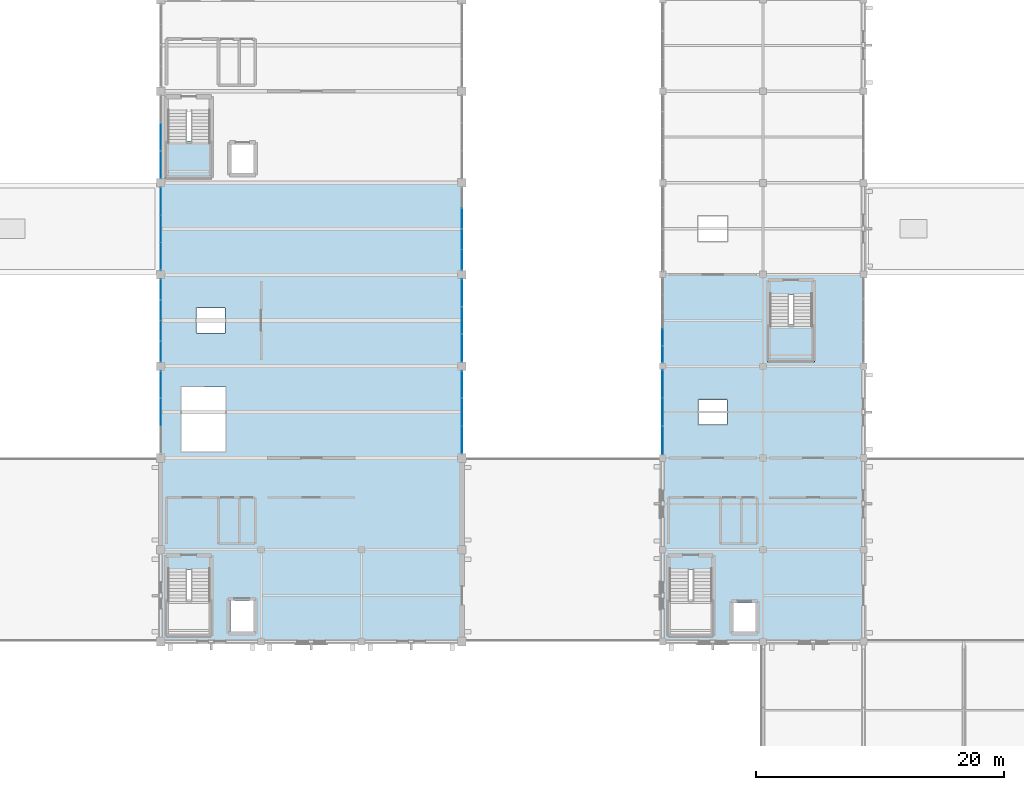
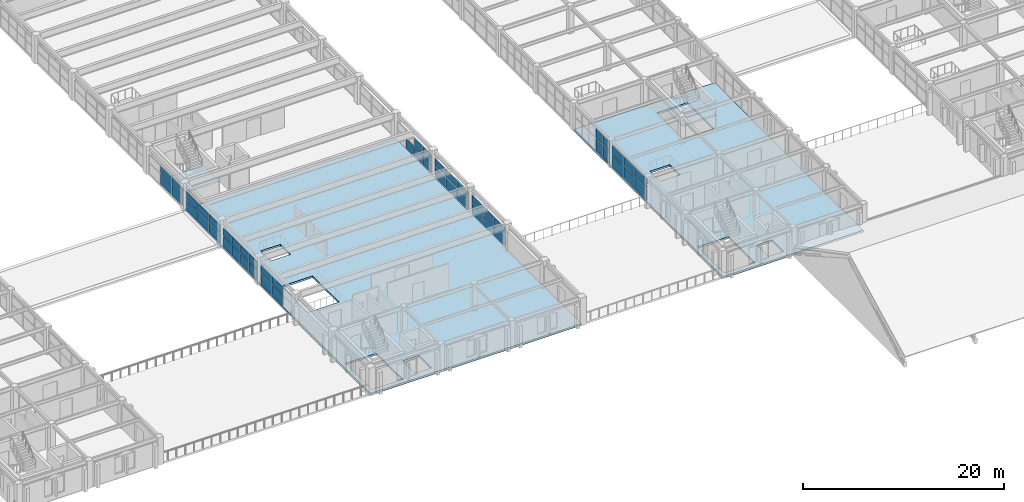
# One storey, part 94 of 121: 49 plates, 4 slabs, 11 elements without a shape of their own.
"""IFC4 building model written with IfcOpenShell, lengths in metres."""

from ifc_helpers import new_model, si_unit, direction, frame, origin, origin_2d, place, context, subcontext, project, spatial, polyline, rectangle, outline, extrude, material, layer, layer_set, type_object, element, aggregate, save


model = new_model("IFC4")

# Units and contexts
model_context = context("Model", 3, precision=1e-05, world=origin(), true_north=direction((0.0, 1.0)))
body_context = subcontext(model_context, "Body", "Model", "MODEL_VIEW")
ifc_project = project(units=[si_unit("LENGTHUNIT", "METRE"), si_unit("AREAUNIT", "SQUARE_METRE"), si_unit("VOLUMEUNIT", "CUBIC_METRE"), si_unit("PLANEANGLEUNIT", "RADIAN"), si_unit("MASSUNIT", "GRAM", prefix="KILO")], contexts=[model_context])

# Site, building, storey
site_placement = place(None, origin())
site = spatial("IfcSite", under=ifc_project, at=site_placement, CompositionType="ELEMENT")
building_placement = place(site_placement, origin())
building = spatial("IfcBuilding", under=site, at=building_placement, Name="Cimatlan Art Gallery", CompositionType="ELEMENT")
storey_placement = place(building_placement, frame((0.0, 0.0, 10.199951171875)))
storey = spatial("IfcBuildingStorey", under=building, at=storey_placement, Name="L02", CompositionType="ELEMENT", Elevation=10.199951171875)

# Curtain wall, plates
ifc_material_1 = material(Name="Anodised bronze unitised curtain wall")
curtain_wall_type_1 = type_object("IfcCurtainWallType", Name="CW-V-06842X02898-B5", PredefinedType="NOTDEFINED", material=ifc_material_1)
curtain_wall_1_placement = place(storey_placement, origin())
curtain_wall_1 = element("IfcCurtainWall", 1, at=curtain_wall_1_placement, inside=storey, type_object=curtain_wall_type_1, Name="CW-L02-14-06-W", PredefinedType="NOTDEFINED")
ifc_material_2 = material(Name="Low-E insulated double glazing", Category="glass")
ifc_layer_1 = layer(ifc_material_2, 0.028076171875)
ifc_layer_set_1 = layer_set([ifc_layer_1], Name="Low-E insulated double glazing")
plate_type_1 = type_object("IfcPlateType", Name="PNL-1310X1091", PredefinedType="CURTAIN_PANEL", material=ifc_layer_set_1)
plate_1_placement = place(storey_placement, frame((115.39990234375, 47.063232421875, 1.68505859375), z_axis=(0.0, 0.0, 1.0), x_axis=(0.0, 1.0, 0.0)))
plate_1 = element("IfcPlate", 2, at=plate_1_placement, type_object=plate_type_1, Name="CW-L02-14-06-W-P12", PredefinedType="CURTAIN_PANEL", context=body_context, shape_type="SweptSolid", body=[
    extrude(rectangle(XDim=1.31005859375, YDim=0.028076171875, at=origin_2d()), origin(), (0.0, 0.0, 1.0), 1.091064453125),
])
plate_2_placement = place(storey_placement, frame((115.39990234375, 48.431640625, 1.68505859375), z_axis=(0.0, 0.0, 1.0), x_axis=(0.0, 1.0, 0.0)))
plate_2 = element("IfcPlate", 3, at=plate_2_placement, type_object=plate_type_1, Name="CW-L02-14-06-W-P22", PredefinedType="CURTAIN_PANEL", context=body_context, shape_type="SweptSolid", body=[
    extrude(rectangle(XDim=1.31005859375, YDim=0.028076171875, at=origin_2d()), origin(), (0.0, 0.0, 1.0), 1.091064453125),
])
ifc_layer_2 = layer(ifc_material_2, 0.028076171875)
ifc_layer_set_2 = layer_set([ifc_layer_2], Name="Low-E insulated double glazing")
plate_type_2 = type_object("IfcPlateType", Name="PNL-1310X1439", PredefinedType="CURTAIN_PANEL", material=ifc_layer_set_2)
plate_3_placement = place(storey_placement, frame((115.39990234375, 47.063232421875, 0.1220703125), z_axis=(0.0, 0.0, 1.0), x_axis=(0.0, 1.0, 0.0)))
plate_3 = element("IfcPlate", 4, at=plate_3_placement, type_object=plate_type_2, Name="CW-L02-14-06-W-P11", PredefinedType="CURTAIN_PANEL", context=body_context, shape_type="SweptSolid", body=[
    extrude(rectangle(XDim=1.31005859375, YDim=0.028076171875, at=origin_2d()), origin(), (0.0, 0.0, 1.0), 1.43896484375),
])
plate_4_placement = place(storey_placement, frame((115.39990234375, 48.431640625, 0.1220703125), z_axis=(0.0, 0.0, 1.0), x_axis=(0.0, 1.0, 0.0)))
plate_4 = element("IfcPlate", 5, at=plate_4_placement, type_object=plate_type_2, Name="CW-L02-14-06-W-P21", PredefinedType="CURTAIN_PANEL", context=body_context, shape_type="SweptSolid", body=[
    extrude(rectangle(XDim=1.31005859375, YDim=0.028076171875, at=origin_2d()), origin(), (0.0, 0.0, 1.0), 1.43896484375),
])
aggregate(curtain_wall_1, [plate_3, plate_1, plate_4, plate_2])

curtain_wall_type_2 = type_object("IfcCurtainWallType", Name="CW-V-06692X02449-B4", PredefinedType="NOTDEFINED", material=ifc_material_1)
curtain_wall_2_placement = place(storey_placement, origin())
curtain_wall_2 = element("IfcCurtainWall", 6, at=curtain_wall_2_placement, inside=storey, type_object=curtain_wall_type_2, Name="CW-L02-11-07-E", PredefinedType="NOTDEFINED")
ifc_layer_3 = layer(ifc_material_2, 0.028076171875)
ifc_layer_set_3 = layer_set([ifc_layer_3], Name="Low-E insulated double glazing")
plate_type_3 = type_object("IfcPlateType", Name="PNL-1615X0894", PredefinedType="CURTAIN_PANEL", material=ifc_layer_set_3)
plate_5_placement = place(storey_placement, frame((99.199951171875, 56.363525390625, 1.43310546875), z_axis=(0.0, 0.0, 1.0), x_axis=(0.0, -1.0, 0.0)))
plate_5 = element("IfcPlate", 7, at=plate_5_placement, type_object=plate_type_3, Name="CW-L02-11-07-E-P32", PredefinedType="CURTAIN_PANEL", context=body_context, shape_type="SweptSolid", body=[
    extrude(rectangle(XDim=1.614990234375, YDim=0.028076171875, at=origin_2d()), origin(), (0.0, 0.0, 1.0), 0.89404296875),
])
plate_6_placement = place(storey_placement, frame((99.199951171875, 54.6904296875, 1.43310546875), z_axis=(0.0, 0.0, 1.0), x_axis=(0.0, -1.0, 0.0)))
plate_6 = element("IfcPlate", 8, at=plate_6_placement, type_object=plate_type_3, Name="CW-L02-11-07-E-P42", PredefinedType="CURTAIN_PANEL", context=body_context, shape_type="SweptSolid", body=[
    extrude(rectangle(XDim=1.614990234375, YDim=0.028076171875, at=origin_2d()), origin(), (0.0, 0.0, 1.0), 0.89404296875),
])

curtain_wall_type_3 = type_object("IfcCurtainWallType", Name="CW-V-06692X02464-B4", PredefinedType="NOTDEFINED", material=ifc_material_1)
curtain_wall_3_placement = place(storey_placement, origin())
curtain_wall_3 = element("IfcCurtainWall", 9, at=curtain_wall_3_placement, inside=storey, type_object=curtain_wall_type_3, Name="CW-L02-09-06-W", PredefinedType="NOTDEFINED")
ifc_layer_4 = layer(ifc_material_2, 0.028076171875)
ifc_layer_set_4 = layer_set([ifc_layer_4], Name="Low-E insulated double glazing")
plate_type_4 = type_object("IfcPlateType", Name="PNL-1615X0900", PredefinedType="CURTAIN_PANEL", material=ifc_layer_set_4)
plate_7_placement = place(storey_placement, frame((74.89990234375, 47.29052734375, 1.44189453125), z_axis=(0.0, 0.0, 1.0), x_axis=(0.0, 1.0, 0.0)))
plate_7 = element("IfcPlate", 10, at=plate_7_placement, type_object=plate_type_4, Name="CW-L02-09-06-W-P12", PredefinedType="CURTAIN_PANEL", context=body_context, shape_type="SweptSolid", body=[
    extrude(rectangle(XDim=1.614990234375, YDim=0.028076171875, at=origin_2d()), origin(), (0.0, 0.0, 1.0), 0.89990234375),
])
plate_8_placement = place(storey_placement, frame((74.89990234375, 48.96337890625, 1.44189453125), z_axis=(0.0, 0.0, 1.0), x_axis=(0.0, 1.0, 0.0)))
plate_8 = element("IfcPlate", 11, at=plate_8_placement, type_object=plate_type_4, Name="CW-L02-09-06-W-P22", PredefinedType="CURTAIN_PANEL", context=body_context, shape_type="SweptSolid", body=[
    extrude(rectangle(XDim=1.614990234375, YDim=0.028076171875, at=origin_2d()), origin(), (0.0, 0.0, 1.0), 0.89990234375),
])
plate_9_placement = place(storey_placement, frame((74.89990234375, 50.636474609375, 1.44189453125), z_axis=(0.0, 0.0, 1.0), x_axis=(0.0, 1.0, 0.0)))
plate_9 = element("IfcPlate", 12, at=plate_9_placement, type_object=plate_type_4, Name="CW-L02-09-06-W-P32", PredefinedType="CURTAIN_PANEL", context=body_context, shape_type="SweptSolid", body=[
    extrude(rectangle(XDim=1.614990234375, YDim=0.028076171875, at=origin_2d()), origin(), (0.0, 0.0, 1.0), 0.89990234375),
])
plate_10_placement = place(storey_placement, frame((74.89990234375, 52.3095703125, 1.44189453125), z_axis=(0.0, 0.0, 1.0), x_axis=(0.0, 1.0, 0.0)))
plate_10 = element("IfcPlate", 13, at=plate_10_placement, type_object=plate_type_4, Name="CW-L02-09-06-W-P42", PredefinedType="CURTAIN_PANEL", context=body_context, shape_type="SweptSolid", body=[
    extrude(rectangle(XDim=1.614990234375, YDim=0.028076171875, at=origin_2d()), origin(), (0.0, 0.0, 1.0), 0.89990234375),
])

# Plate
ifc_layer_5 = layer(ifc_material_2, 0.028076171875)
ifc_layer_set_5 = layer_set([ifc_layer_5], Name="Low-E insulated double glazing")
plate_type_5 = type_object("IfcPlateType", Name="PNL-1615X1187", PredefinedType="CURTAIN_PANEL", material=ifc_layer_set_5)
plate_11_placement = place(storey_placement, frame((99.199951171875, 58.03662109375, 0.122314453125), z_axis=(0.0, 0.0, 1.0), x_axis=(0.0, -1.0, 0.0)))
plate_11 = element("IfcPlate", 14, at=plate_11_placement, type_object=plate_type_5, Name="CW-L02-11-07-E-P21", PredefinedType="CURTAIN_PANEL", context=body_context, shape_type="SweptSolid", body=[
    extrude(rectangle(XDim=1.614990234375, YDim=0.028076171875, at=origin_2d()), origin(), (0.0, 0.0, 1.0), 1.18701171875),
])

plate_12_placement = place(storey_placement, frame((99.199951171875, 56.363525390625, 0.122314453125), z_axis=(0.0, 0.0, 1.0), x_axis=(0.0, -1.0, 0.0)))
plate_12 = element("IfcPlate", 15, at=plate_12_placement, type_object=plate_type_5, Name="CW-L02-11-07-E-P31", PredefinedType="CURTAIN_PANEL", context=body_context, shape_type="SweptSolid", body=[
    extrude(rectangle(XDim=1.614990234375, YDim=0.028076171875, at=origin_2d()), origin(), (0.0, 0.0, 1.0), 1.18701171875),
])

plate_13_placement = place(storey_placement, frame((99.199951171875, 54.6904296875, 0.122314453125), z_axis=(0.0, 0.0, 1.0), x_axis=(0.0, -1.0, 0.0)))
plate_13 = element("IfcPlate", 16, at=plate_13_placement, type_object=plate_type_5, Name="CW-L02-11-07-E-P41", PredefinedType="CURTAIN_PANEL", context=body_context, shape_type="SweptSolid", body=[
    extrude(rectangle(XDim=1.614990234375, YDim=0.028076171875, at=origin_2d()), origin(), (0.0, 0.0, 1.0), 1.18701171875),
])

aggregate(curtain_wall_2, [plate_11, plate_12, plate_5, plate_13, plate_6])

ifc_layer_6 = layer(ifc_material_2, 0.028076171875)
ifc_layer_set_6 = layer_set([ifc_layer_6], Name="Low-E insulated double glazing")
plate_type_6 = type_object("IfcPlateType", Name="PNL-1615X1196", PredefinedType="CURTAIN_PANEL", material=ifc_layer_set_6)
plate_14_placement = place(storey_placement, frame((74.89990234375, 47.29052734375, 0.1220703125), z_axis=(0.0, 0.0, 1.0), x_axis=(0.0, 1.0, 0.0)))
plate_14 = element("IfcPlate", 17, at=plate_14_placement, type_object=plate_type_6, Name="CW-L02-09-06-W-P11", PredefinedType="CURTAIN_PANEL", context=body_context, shape_type="SweptSolid", body=[
    extrude(rectangle(XDim=1.614990234375, YDim=0.028076171875, at=origin_2d()), origin(), (0.0, 0.0, 1.0), 1.196044921875),
])

plate_15_placement = place(storey_placement, frame((74.89990234375, 48.96337890625, 0.1220703125), z_axis=(0.0, 0.0, 1.0), x_axis=(0.0, 1.0, 0.0)))
plate_15 = element("IfcPlate", 18, at=plate_15_placement, type_object=plate_type_6, Name="CW-L02-09-06-W-P21", PredefinedType="CURTAIN_PANEL", context=body_context, shape_type="SweptSolid", body=[
    extrude(rectangle(XDim=1.614990234375, YDim=0.028076171875, at=origin_2d()), origin(), (0.0, 0.0, 1.0), 1.196044921875),
])

plate_16_placement = place(storey_placement, frame((74.89990234375, 50.636474609375, 0.1220703125), z_axis=(0.0, 0.0, 1.0), x_axis=(0.0, 1.0, 0.0)))
plate_16 = element("IfcPlate", 19, at=plate_16_placement, type_object=plate_type_6, Name="CW-L02-09-06-W-P31", PredefinedType="CURTAIN_PANEL", context=body_context, shape_type="SweptSolid", body=[
    extrude(rectangle(XDim=1.614990234375, YDim=0.028076171875, at=origin_2d()), origin(), (0.0, 0.0, 1.0), 1.196044921875),
])

plate_17_placement = place(storey_placement, frame((74.89990234375, 52.3095703125, 0.1220703125), z_axis=(0.0, 0.0, 1.0), x_axis=(0.0, 1.0, 0.0)))
plate_17 = element("IfcPlate", 20, at=plate_17_placement, type_object=plate_type_6, Name="CW-L02-09-06-W-P41", PredefinedType="CURTAIN_PANEL", context=body_context, shape_type="SweptSolid", body=[
    extrude(rectangle(XDim=1.614990234375, YDim=0.028076171875, at=origin_2d()), origin(), (0.0, 0.0, 1.0), 1.196044921875),
])

aggregate(curtain_wall_3, [plate_14, plate_7, plate_15, plate_8, plate_16, plate_9, plate_17, plate_10])

# Curtain wall, plates
curtain_wall_type_4 = type_object("IfcCurtainWallType", Name="CW-V-06692X02434-B3", PredefinedType="NOTDEFINED", material=ifc_material_1)
curtain_wall_4_placement = place(storey_placement, origin())
curtain_wall_4 = element("IfcCurtainWall", 21, at=curtain_wall_4_placement, inside=storey, type_object=curtain_wall_type_4, Name="CW-L02-09-08-W", PredefinedType="NOTDEFINED")
ifc_layer_7 = layer(ifc_material_2, 0.028076171875)
ifc_layer_set_7 = layer_set([ifc_layer_7], Name="Low-E insulated double glazing")
plate_type_7 = type_object("IfcPlateType", Name="PNL-2173X0887", PredefinedType="CURTAIN_PANEL", material=ifc_layer_set_7)
plate_18_placement = place(storey_placement, frame((74.89990234375, 62.369384765625, 1.42529296875), z_axis=(0.0, 0.0, 1.0), x_axis=(0.0, 1.0, 0.0)))
plate_18 = element("IfcPlate", 22, at=plate_18_placement, type_object=plate_type_7, Name="CW-L02-09-08-W-P12", PredefinedType="CURTAIN_PANEL", context=body_context, shape_type="SweptSolid", body=[
    extrude(rectangle(XDim=2.173095703125, YDim=0.028076171875, at=origin_2d()), origin(), (0.0, 0.0, 1.0), 0.886962890625),
])
plate_19_placement = place(storey_placement, frame((74.89990234375, 64.60009765625, 1.42529296875), z_axis=(0.0, 0.0, 1.0), x_axis=(0.0, 1.0, 0.0)))
plate_19 = element("IfcPlate", 23, at=plate_19_placement, type_object=plate_type_7, Name="CW-L02-09-08-W-P22", PredefinedType="CURTAIN_PANEL", context=body_context, shape_type="SweptSolid", body=[
    extrude(rectangle(XDim=2.173095703125, YDim=0.028076171875, at=origin_2d()), origin(), (0.0, 0.0, 1.0), 0.886962890625),
])

curtain_wall_type_5 = type_object("IfcCurtainWallType", Name="CW-V-06692X02449-B3", PredefinedType="NOTDEFINED", material=ifc_material_1)
curtain_wall_5_placement = place(storey_placement, origin())
curtain_wall_5 = element("IfcCurtainWall", 24, at=curtain_wall_5_placement, inside=storey, type_object=curtain_wall_type_5, Name="CW-L02-09-07-W", PredefinedType="NOTDEFINED")
ifc_layer_8 = layer(ifc_material_2, 0.028076171875)
ifc_layer_set_8 = layer_set([ifc_layer_8], Name="Low-E insulated double glazing")
plate_type_8 = type_object("IfcPlateType", Name="PNL-2173X0894", PredefinedType="CURTAIN_PANEL", material=ifc_layer_set_8)
plate_20_placement = place(storey_placement, frame((74.89990234375, 54.96923828125, 1.43310546875), z_axis=(0.0, 0.0, 1.0), x_axis=(0.0, 1.0, 0.0)))
plate_20 = element("IfcPlate", 25, at=plate_20_placement, type_object=plate_type_8, Name="CW-L02-09-07-W-P12", PredefinedType="CURTAIN_PANEL", context=body_context, shape_type="SweptSolid", body=[
    extrude(rectangle(XDim=2.173095703125, YDim=0.028076171875, at=origin_2d()), origin(), (0.0, 0.0, 1.0), 0.89404296875),
])
plate_21_placement = place(storey_placement, frame((74.89990234375, 57.199951171875, 1.43310546875), z_axis=(0.0, 0.0, 1.0), x_axis=(0.0, 1.0, 0.0)))
plate_21 = element("IfcPlate", 26, at=plate_21_placement, type_object=plate_type_8, Name="CW-L02-09-07-W-P22", PredefinedType="CURTAIN_PANEL", context=body_context, shape_type="SweptSolid", body=[
    extrude(rectangle(XDim=2.173095703125, YDim=0.028076171875, at=origin_2d()), origin(), (0.0, 0.0, 1.0), 0.89404296875),
])
plate_22_placement = place(storey_placement, frame((74.89990234375, 59.4306640625, 1.43310546875), z_axis=(0.0, 0.0, 1.0), x_axis=(0.0, 1.0, 0.0)))
plate_22 = element("IfcPlate", 27, at=plate_22_placement, type_object=plate_type_8, Name="CW-L02-09-07-W-P32", PredefinedType="CURTAIN_PANEL", context=body_context, shape_type="SweptSolid", body=[
    extrude(rectangle(XDim=2.173095703125, YDim=0.028076171875, at=origin_2d()), origin(), (0.0, 0.0, 1.0), 0.89404296875),
])

curtain_wall_type_6 = type_object("IfcCurtainWallType", Name="CW-V-06692X02464-B3", PredefinedType="NOTDEFINED", material=ifc_material_1)
curtain_wall_6_placement = place(storey_placement, origin())
curtain_wall_6 = element("IfcCurtainWall", 28, at=curtain_wall_6_placement, inside=storey, type_object=curtain_wall_type_6, Name="CW-L02-11-06-E", PredefinedType="NOTDEFINED")
ifc_layer_9 = layer(ifc_material_2, 0.028076171875)
ifc_layer_set_9 = layer_set([ifc_layer_9], Name="Low-E insulated double glazing")
plate_type_9 = type_object("IfcPlateType", Name="PNL-2173X0900", PredefinedType="CURTAIN_PANEL", material=ifc_layer_set_9)
plate_23_placement = place(storey_placement, frame((99.199951171875, 52.03076171875, 1.44189453125), z_axis=(0.0, 0.0, 1.0), x_axis=(0.0, -1.0, 0.0)))
plate_23 = element("IfcPlate", 29, at=plate_23_placement, type_object=plate_type_9, Name="CW-L02-11-06-E-P12", PredefinedType="CURTAIN_PANEL", context=body_context, shape_type="SweptSolid", body=[
    extrude(rectangle(XDim=2.173095703125, YDim=0.028076171875, at=origin_2d()), origin(), (0.0, 0.0, 1.0), 0.89990234375),
])
plate_24_placement = place(storey_placement, frame((99.199951171875, 49.800048828125, 1.44189453125), z_axis=(0.0, 0.0, 1.0), x_axis=(0.0, -1.0, 0.0)))
plate_24 = element("IfcPlate", 30, at=plate_24_placement, type_object=plate_type_9, Name="CW-L02-11-06-E-P22", PredefinedType="CURTAIN_PANEL", context=body_context, shape_type="SweptSolid", body=[
    extrude(rectangle(XDim=2.173095703125, YDim=0.028076171875, at=origin_2d()), origin(), (0.0, 0.0, 1.0), 0.89990234375),
])
plate_25_placement = place(storey_placement, frame((99.199951171875, 47.5693359375, 1.44189453125), z_axis=(0.0, 0.0, 1.0), x_axis=(0.0, -1.0, 0.0)))
plate_25 = element("IfcPlate", 31, at=plate_25_placement, type_object=plate_type_9, Name="CW-L02-11-06-E-P32", PredefinedType="CURTAIN_PANEL", context=body_context, shape_type="SweptSolid", body=[
    extrude(rectangle(XDim=2.173095703125, YDim=0.028076171875, at=origin_2d()), origin(), (0.0, 0.0, 1.0), 0.89990234375),
])

curtain_wall_type_7 = type_object("IfcCurtainWallType", Name="CW-V-06692X02479-B3", PredefinedType="NOTDEFINED", material=ifc_material_1)
curtain_wall_7_placement = place(storey_placement, origin())
curtain_wall_7 = element("IfcCurtainWall", 32, at=curtain_wall_7_placement, inside=storey, type_object=curtain_wall_type_7, Name="CW-L02-09-05-W", PredefinedType="NOTDEFINED")
ifc_layer_10 = layer(ifc_material_2, 0.028076171875)
ifc_layer_set_10 = layer_set([ifc_layer_10], Name="Low-E insulated double glazing")
plate_type_10 = type_object("IfcPlateType", Name="PNL-2173X0907", PredefinedType="CURTAIN_PANEL", material=ifc_layer_set_10)
plate_26_placement = place(storey_placement, frame((74.89990234375, 42.39990234375, 1.4501953125), z_axis=(0.0, 0.0, 1.0), x_axis=(0.0, 1.0, 0.0)))
plate_26 = element("IfcPlate", 33, at=plate_26_placement, type_object=plate_type_10, Name="CW-L02-09-05-W-P22", PredefinedType="CURTAIN_PANEL", context=body_context, shape_type="SweptSolid", body=[
    extrude(rectangle(XDim=2.173095703125, YDim=0.028076171875, at=origin_2d()), origin(), (0.0, 0.0, 1.0), 0.906982421875),
])
plate_27_placement = place(storey_placement, frame((74.89990234375, 44.630615234375, 1.4501953125), z_axis=(0.0, 0.0, 1.0), x_axis=(0.0, 1.0, 0.0)))
plate_27 = element("IfcPlate", 34, at=plate_27_placement, type_object=plate_type_10, Name="CW-L02-09-05-W-P32", PredefinedType="CURTAIN_PANEL", context=body_context, shape_type="SweptSolid", body=[
    extrude(rectangle(XDim=2.173095703125, YDim=0.028076171875, at=origin_2d()), origin(), (0.0, 0.0, 1.0), 0.906982421875),
])

curtain_wall_8_placement = place(storey_placement, origin())
curtain_wall_8 = element("IfcCurtainWall", 35, at=curtain_wall_8_placement, inside=storey, type_object=curtain_wall_type_7, Name="CW-L02-11-05-E", PredefinedType="NOTDEFINED")
plate_28_placement = place(storey_placement, frame((99.199951171875, 44.630615234375, 1.4501953125), z_axis=(0.0, 0.0, 1.0), x_axis=(0.0, -1.0, 0.0)))
plate_28 = element("IfcPlate", 36, at=plate_28_placement, type_object=plate_type_10, Name="CW-L02-11-05-E-P12", PredefinedType="CURTAIN_PANEL", context=body_context, shape_type="SweptSolid", body=[
    extrude(rectangle(XDim=2.173095703125, YDim=0.028076171875, at=origin_2d()), origin(), (0.0, 0.0, 1.0), 0.906982421875),
])
plate_29_placement = place(storey_placement, frame((99.199951171875, 42.39990234375, 1.4501953125), z_axis=(0.0, 0.0, 1.0), x_axis=(0.0, -1.0, 0.0)))
plate_29 = element("IfcPlate", 37, at=plate_29_placement, type_object=plate_type_10, Name="CW-L02-11-05-E-P22", PredefinedType="CURTAIN_PANEL", context=body_context, shape_type="SweptSolid", body=[
    extrude(rectangle(XDim=2.173095703125, YDim=0.028076171875, at=origin_2d()), origin(), (0.0, 0.0, 1.0), 0.906982421875),
])
plate_30_placement = place(storey_placement, frame((99.199951171875, 40.16943359375, 1.4501953125), z_axis=(0.0, 0.0, 1.0), x_axis=(0.0, -1.0, 0.0)))
plate_30 = element("IfcPlate", 38, at=plate_30_placement, type_object=plate_type_10, Name="CW-L02-11-05-E-P32", PredefinedType="CURTAIN_PANEL", context=body_context, shape_type="SweptSolid", body=[
    extrude(rectangle(XDim=2.173095703125, YDim=0.028076171875, at=origin_2d()), origin(), (0.0, 0.0, 1.0), 0.906982421875),
])

# Plate
ifc_layer_11 = layer(ifc_material_2, 0.028076171875)
ifc_layer_set_11 = layer_set([ifc_layer_11], Name="Low-E insulated double glazing")
plate_type_11 = type_object("IfcPlateType", Name="PNL-2173X1179", PredefinedType="CURTAIN_PANEL", material=ifc_layer_set_11)
plate_31_placement = place(storey_placement, frame((74.89990234375, 62.369384765625, 0.1220703125), z_axis=(0.0, 0.0, 1.0), x_axis=(0.0, 1.0, 0.0)))
plate_31 = element("IfcPlate", 39, at=plate_31_placement, type_object=plate_type_11, Name="CW-L02-09-08-W-P11", PredefinedType="CURTAIN_PANEL", context=body_context, shape_type="SweptSolid", body=[
    extrude(rectangle(XDim=2.173095703125, YDim=0.028076171875, at=origin_2d()), origin(), (0.0, 0.0, 1.0), 1.178955078125),
])

plate_32_placement = place(storey_placement, frame((74.89990234375, 64.60009765625, 0.1220703125), z_axis=(0.0, 0.0, 1.0), x_axis=(0.0, 1.0, 0.0)))
plate_32 = element("IfcPlate", 40, at=plate_32_placement, type_object=plate_type_11, Name="CW-L02-09-08-W-P21", PredefinedType="CURTAIN_PANEL", context=body_context, shape_type="SweptSolid", body=[
    extrude(rectangle(XDim=2.173095703125, YDim=0.028076171875, at=origin_2d()), origin(), (0.0, 0.0, 1.0), 1.178955078125),
])

aggregate(curtain_wall_4, [plate_31, plate_18, plate_32, plate_19])

ifc_layer_12 = layer(ifc_material_2, 0.028076171875)
ifc_layer_set_12 = layer_set([ifc_layer_12], Name="Low-E insulated double glazing")
plate_type_12 = type_object("IfcPlateType", Name="PNL-2173X1187", PredefinedType="CURTAIN_PANEL", material=ifc_layer_set_12)
plate_33_placement = place(storey_placement, frame((74.89990234375, 54.96923828125, 0.122314453125), z_axis=(0.0, 0.0, 1.0), x_axis=(0.0, 1.0, 0.0)))
plate_33 = element("IfcPlate", 41, at=plate_33_placement, type_object=plate_type_12, Name="CW-L02-09-07-W-P11", PredefinedType="CURTAIN_PANEL", context=body_context, shape_type="SweptSolid", body=[
    extrude(rectangle(XDim=2.173095703125, YDim=0.028076171875, at=origin_2d()), origin(), (0.0, 0.0, 1.0), 1.18701171875),
])

plate_34_placement = place(storey_placement, frame((74.89990234375, 57.199951171875, 0.122314453125), z_axis=(0.0, 0.0, 1.0), x_axis=(0.0, 1.0, 0.0)))
plate_34 = element("IfcPlate", 42, at=plate_34_placement, type_object=plate_type_12, Name="CW-L02-09-07-W-P21", PredefinedType="CURTAIN_PANEL", context=body_context, shape_type="SweptSolid", body=[
    extrude(rectangle(XDim=2.173095703125, YDim=0.028076171875, at=origin_2d()), origin(), (0.0, 0.0, 1.0), 1.18701171875),
])

plate_35_placement = place(storey_placement, frame((74.89990234375, 59.4306640625, 0.122314453125), z_axis=(0.0, 0.0, 1.0), x_axis=(0.0, 1.0, 0.0)))
plate_35 = element("IfcPlate", 43, at=plate_35_placement, type_object=plate_type_12, Name="CW-L02-09-07-W-P31", PredefinedType="CURTAIN_PANEL", context=body_context, shape_type="SweptSolid", body=[
    extrude(rectangle(XDim=2.173095703125, YDim=0.028076171875, at=origin_2d()), origin(), (0.0, 0.0, 1.0), 1.18701171875),
])

aggregate(curtain_wall_5, [plate_33, plate_20, plate_34, plate_21, plate_35, plate_22])

ifc_layer_13 = layer(ifc_material_2, 0.028076171875)
ifc_layer_set_13 = layer_set([ifc_layer_13], Name="Low-E insulated double glazing")
plate_type_13 = type_object("IfcPlateType", Name="PNL-2173X1196", PredefinedType="CURTAIN_PANEL", material=ifc_layer_set_13)
plate_36_placement = place(storey_placement, frame((99.199951171875, 52.03076171875, 0.1220703125), z_axis=(0.0, 0.0, 1.0), x_axis=(0.0, -1.0, 0.0)))
plate_36 = element("IfcPlate", 44, at=plate_36_placement, type_object=plate_type_13, Name="CW-L02-11-06-E-P11", PredefinedType="CURTAIN_PANEL", context=body_context, shape_type="SweptSolid", body=[
    extrude(rectangle(XDim=2.173095703125, YDim=0.028076171875, at=origin_2d()), origin(), (0.0, 0.0, 1.0), 1.196044921875),
])

plate_37_placement = place(storey_placement, frame((99.199951171875, 49.800048828125, 0.1220703125), z_axis=(0.0, 0.0, 1.0), x_axis=(0.0, -1.0, 0.0)))
plate_37 = element("IfcPlate", 45, at=plate_37_placement, type_object=plate_type_13, Name="CW-L02-11-06-E-P21", PredefinedType="CURTAIN_PANEL", context=body_context, shape_type="SweptSolid", body=[
    extrude(rectangle(XDim=2.173095703125, YDim=0.028076171875, at=origin_2d()), origin(), (0.0, 0.0, 1.0), 1.196044921875),
])

plate_38_placement = place(storey_placement, frame((99.199951171875, 47.5693359375, 0.1220703125), z_axis=(0.0, 0.0, 1.0), x_axis=(0.0, -1.0, 0.0)))
plate_38 = element("IfcPlate", 46, at=plate_38_placement, type_object=plate_type_13, Name="CW-L02-11-06-E-P31", PredefinedType="CURTAIN_PANEL", context=body_context, shape_type="SweptSolid", body=[
    extrude(rectangle(XDim=2.173095703125, YDim=0.028076171875, at=origin_2d()), origin(), (0.0, 0.0, 1.0), 1.196044921875),
])

aggregate(curtain_wall_6, [plate_36, plate_23, plate_37, plate_24, plate_38, plate_25])

ifc_layer_14 = layer(ifc_material_2, 0.028076171875)
ifc_layer_set_14 = layer_set([ifc_layer_14], Name="Low-E insulated double glazing")
plate_type_14 = type_object("IfcPlateType", Name="PNL-2173X1204", PredefinedType="CURTAIN_PANEL", material=ifc_layer_set_14)
plate_39_placement = place(storey_placement, frame((74.89990234375, 42.39990234375, 0.1220703125), z_axis=(0.0, 0.0, 1.0), x_axis=(0.0, 1.0, 0.0)))
plate_39 = element("IfcPlate", 47, at=plate_39_placement, type_object=plate_type_14, Name="CW-L02-09-05-W-P21", PredefinedType="CURTAIN_PANEL", context=body_context, shape_type="SweptSolid", body=[
    extrude(rectangle(XDim=2.173095703125, YDim=0.028076171875, at=origin_2d()), origin(), (0.0, 0.0, 1.0), 1.2041015625),
])

plate_40_placement = place(storey_placement, frame((74.89990234375, 44.630615234375, 0.1220703125), z_axis=(0.0, 0.0, 1.0), x_axis=(0.0, 1.0, 0.0)))
plate_40 = element("IfcPlate", 48, at=plate_40_placement, type_object=plate_type_14, Name="CW-L02-09-05-W-P31", PredefinedType="CURTAIN_PANEL", context=body_context, shape_type="SweptSolid", body=[
    extrude(rectangle(XDim=2.173095703125, YDim=0.028076171875, at=origin_2d()), origin(), (0.0, 0.0, 1.0), 1.2041015625),
])

aggregate(curtain_wall_7, [plate_39, plate_26, plate_40, plate_27])

plate_41_placement = place(storey_placement, frame((99.199951171875, 44.630615234375, 0.1220703125), z_axis=(0.0, 0.0, 1.0), x_axis=(0.0, -1.0, 0.0)))
plate_41 = element("IfcPlate", 49, at=plate_41_placement, type_object=plate_type_14, Name="CW-L02-11-05-E-P11", PredefinedType="CURTAIN_PANEL", context=body_context, shape_type="SweptSolid", body=[
    extrude(rectangle(XDim=2.173095703125, YDim=0.028076171875, at=origin_2d()), origin(), (0.0, 0.0, 1.0), 1.2041015625),
])

plate_42_placement = place(storey_placement, frame((99.199951171875, 42.39990234375, 0.1220703125), z_axis=(0.0, 0.0, 1.0), x_axis=(0.0, -1.0, 0.0)))
plate_42 = element("IfcPlate", 50, at=plate_42_placement, type_object=plate_type_14, Name="CW-L02-11-05-E-P21", PredefinedType="CURTAIN_PANEL", context=body_context, shape_type="SweptSolid", body=[
    extrude(rectangle(XDim=2.173095703125, YDim=0.028076171875, at=origin_2d()), origin(), (0.0, 0.0, 1.0), 1.2041015625),
])

plate_43_placement = place(storey_placement, frame((99.199951171875, 40.16943359375, 0.1220703125), z_axis=(0.0, 0.0, 1.0), x_axis=(0.0, -1.0, 0.0)))
plate_43 = element("IfcPlate", 51, at=plate_43_placement, type_object=plate_type_14, Name="CW-L02-11-05-E-P31", PredefinedType="CURTAIN_PANEL", context=body_context, shape_type="SweptSolid", body=[
    extrude(rectangle(XDim=2.173095703125, YDim=0.028076171875, at=origin_2d()), origin(), (0.0, 0.0, 1.0), 1.2041015625),
])

aggregate(curtain_wall_8, [plate_41, plate_28, plate_42, plate_29, plate_43, plate_30])

# Curtain wall, plates
curtain_wall_type_8 = type_object("IfcCurtainWallType", Name="CW-V-06842X02823-B3", PredefinedType="NOTDEFINED", material=ifc_material_1)
curtain_wall_9_placement = place(storey_placement, origin())
curtain_wall_9 = element("IfcCurtainWall", 52, at=curtain_wall_9_placement, inside=storey, type_object=curtain_wall_type_8, Name="CW-L02-14-05-W", PredefinedType="NOTDEFINED")
ifc_layer_15 = layer(ifc_material_2, 0.028076171875)
ifc_layer_set_15 = layer_set([ifc_layer_15], Name="Low-E insulated double glazing")
plate_type_15 = type_object("IfcPlateType", Name="PNL-2223X1058", PredefinedType="CURTAIN_PANEL", material=ifc_layer_set_15)
plate_44_placement = place(storey_placement, frame((115.39990234375, 40.119384765625, 1.64306640625), z_axis=(0.0, 0.0, 1.0), x_axis=(0.0, 1.0, 0.0)))
plate_44 = element("IfcPlate", 53, at=plate_44_placement, type_object=plate_type_15, Name="CW-L02-14-05-W-P12", PredefinedType="CURTAIN_PANEL", context=body_context, shape_type="SweptSolid", body=[
    extrude(rectangle(XDim=2.222900390625, YDim=0.028076171875, at=origin_2d()), origin(), (0.0, 0.0, 1.0), 1.05810546875),
])
plate_45_placement = place(storey_placement, frame((115.39990234375, 42.39990234375, 1.64306640625), z_axis=(0.0, 0.0, 1.0), x_axis=(0.0, 1.0, 0.0)))
plate_45 = element("IfcPlate", 54, at=plate_45_placement, type_object=plate_type_15, Name="CW-L02-14-05-W-P22", PredefinedType="CURTAIN_PANEL", context=body_context, shape_type="SweptSolid", body=[
    extrude(rectangle(XDim=2.222900390625, YDim=0.028076171875, at=origin_2d()), origin(), (0.0, 0.0, 1.0), 1.05810546875),
])
plate_46_placement = place(storey_placement, frame((115.39990234375, 44.6806640625, 1.64306640625), z_axis=(0.0, 0.0, 1.0), x_axis=(0.0, 1.0, 0.0)))
plate_46 = element("IfcPlate", 55, at=plate_46_placement, type_object=plate_type_15, Name="CW-L02-14-05-W-P32", PredefinedType="CURTAIN_PANEL", context=body_context, shape_type="SweptSolid", body=[
    extrude(rectangle(XDim=2.222900390625, YDim=0.028076171875, at=origin_2d()), origin(), (0.0, 0.0, 1.0), 1.05810546875),
])
ifc_layer_16 = layer(ifc_material_2, 0.028076171875)
ifc_layer_set_16 = layer_set([ifc_layer_16], Name="Low-E insulated double glazing")
plate_type_16 = type_object("IfcPlateType", Name="PNL-2223X1397", PredefinedType="CURTAIN_PANEL", material=ifc_layer_set_16)
plate_47_placement = place(storey_placement, frame((115.39990234375, 40.119384765625, 0.1220703125), z_axis=(0.0, 0.0, 1.0), x_axis=(0.0, 1.0, 0.0)))
plate_47 = element("IfcPlate", 56, at=plate_47_placement, type_object=plate_type_16, Name="CW-L02-14-05-W-P11", PredefinedType="CURTAIN_PANEL", context=body_context, shape_type="SweptSolid", body=[
    extrude(rectangle(XDim=2.222900390625, YDim=0.028076171875, at=origin_2d()), origin(), (0.0, 0.0, 1.0), 1.39697265625),
])
plate_48_placement = place(storey_placement, frame((115.39990234375, 42.39990234375, 0.1220703125), z_axis=(0.0, 0.0, 1.0), x_axis=(0.0, 1.0, 0.0)))
plate_48 = element("IfcPlate", 57, at=plate_48_placement, type_object=plate_type_16, Name="CW-L02-14-05-W-P21", PredefinedType="CURTAIN_PANEL", context=body_context, shape_type="SweptSolid", body=[
    extrude(rectangle(XDim=2.222900390625, YDim=0.028076171875, at=origin_2d()), origin(), (0.0, 0.0, 1.0), 1.39697265625),
])
plate_49_placement = place(storey_placement, frame((115.39990234375, 44.6806640625, 0.1220703125), z_axis=(0.0, 0.0, 1.0), x_axis=(0.0, 1.0, 0.0)))
plate_49 = element("IfcPlate", 58, at=plate_49_placement, type_object=plate_type_16, Name="CW-L02-14-05-W-P31", PredefinedType="CURTAIN_PANEL", context=body_context, shape_type="SweptSolid", body=[
    extrude(rectangle(XDim=2.222900390625, YDim=0.028076171875, at=origin_2d()), origin(), (0.0, 0.0, 1.0), 1.39697265625),
])
aggregate(curtain_wall_9, [plate_47, plate_44, plate_48, plate_45, plate_49, plate_46])

# Slabs
ifc_material_3 = material(Name="Concrete C35/45", Category="concrete")
ifc_layer_17 = layer(ifc_material_3, 0.239990234375)
ifc_layer_set_17 = layer_set([ifc_layer_17], Name="Concrete C35/45")
slab_type_1 = type_object("IfcSlabType", Name="SLB-FLR-L02", PredefinedType="FLOOR", material=ifc_layer_set_17)
slab_1_placement = place(storey_placement, frame((0.0, 0.0, -0.239990234375)))
element("IfcSlab", 59, at=slab_1_placement, inside=storey, type_object=slab_type_1, Name="SLB-L02-B3S", PredefinedType="FLOOR", context=body_context, shape_type="SweptSolid", body=[
    extrude(outline(polyline([(74.89990234375, 23.89990234375), (99.199951171875, 23.89990234375), (99.199951171875, 60.89990234375), (74.89990234375, 60.89990234375), (74.89990234375, 23.89990234375)]), holes=[polyline([(75.39990234375, 24.419921875), (78.919921875, 24.419921875), (78.919921875, 29.64990234375), (75.39990234375, 29.64990234375), (75.39990234375, 24.419921875)]), polyline([(80.510009765625, 24.7099609375), (82.389892578125, 24.7099609375), (82.389892578125, 27.18994140625), (80.510009765625, 27.18994140625), (80.510009765625, 24.7099609375)]), polyline([(76.570068359375, 39.219970703125), (80.1298828125, 39.219970703125), (80.1298828125, 44.449951171875), (76.570068359375, 44.449951171875), (76.570068359375, 39.219970703125)]), polyline([(77.800048828125, 48.800048828125), (80.10009765625, 48.800048828125), (80.10009765625, 50.800048828125), (77.800048828125, 50.800048828125), (77.800048828125, 48.800048828125)])]), origin(), (0.0, 0.0, 1.0), 0.239990234375),
])
slab_2_placement = place(storey_placement, frame((0.0, 0.0, -0.239990234375)))
element("IfcSlab", 60, at=slab_2_placement, inside=storey, type_object=slab_type_1, Name="SLB-L02-B4S", PredefinedType="FLOOR", context=body_context, shape_type="SweptSolid", body=[
    extrude(outline(polyline([(115.39990234375, 23.89990234375), (131.60009765625, 23.89990234375), (131.60009765625, 53.5), (115.39990234375, 53.5), (115.39990234375, 23.89990234375)]), holes=[polyline([(115.89990234375, 24.419921875), (119.419921875, 24.419921875), (119.419921875, 29.64990234375), (115.89990234375, 29.64990234375), (115.89990234375, 24.419921875)]), polyline([(121.110107421875, 24.7099609375), (122.889892578125, 24.7099609375), (122.889892578125, 26.989990234375), (121.110107421875, 26.989990234375), (121.110107421875, 24.7099609375)]), polyline([(124.0, 46.6201171875), (127.52001953125, 46.6201171875), (127.52001953125, 51.85009765625), (124.0, 51.85009765625), (124.0, 46.6201171875)]), polyline([(118.300048828125, 41.39990234375), (120.60009765625, 41.39990234375), (120.60009765625, 43.39990234375), (118.300048828125, 43.39990234375), (118.300048828125, 41.39990234375)])]), origin(), (0.0, 0.0, 1.0), 0.239990234375),
])

# Stair, slab
stair_type = type_object("IfcStairType", Name="STR-HALF-155-360", PredefinedType="HALF_TURN_STAIR", material=ifc_material_3)
stair_1_placement = place(storey_placement, origin())
stair_1 = element("IfcStair", 61, at=stair_1_placement, inside=storey, type_object=stair_type, Name="STR-C6-L02", PredefinedType="HALF_TURN_STAIR")
ifc_layer_18 = layer(ifc_material_3, 0.219970703125)
ifc_layer_set_18 = layer_set([ifc_layer_18], Name="Concrete C35/45")
slab_type_2 = type_object("IfcSlabType", Name="SLB-STAIR-LAND-220", PredefinedType="LANDING", material=ifc_layer_set_18)
slab_3_placement = place(storey_placement, frame((0.0, 0.0, 1.580078125)))
slab_3 = element("IfcSlab", 62, at=slab_3_placement, type_object=slab_type_2, Name="STR-C6-L02-LND", PredefinedType="LANDING", context=body_context, shape_type="SweptSolid", body=[
    extrude(outline(polyline([(75.25, 61.25), (79.0400390625, 61.25), (79.0400390625, 64.280029296875), (75.25, 64.280029296875), (75.25, 61.25)])), origin(), (0.0, 0.0, 1.0), 0.219970703125),
])
aggregate(stair_1, [slab_3])

stair_2_placement = place(storey_placement, origin())
stair_2 = element("IfcStair", 63, at=stair_2_placement, inside=storey, type_object=stair_type, Name="STR-C9-L02", PredefinedType="HALF_TURN_STAIR")
slab_4_placement = place(storey_placement, frame((0.0, 0.0, 1.580078125)))
slab_4 = element("IfcSlab", 64, at=slab_4_placement, type_object=slab_type_2, Name="STR-C9-L02-LND", PredefinedType="LANDING", context=body_context, shape_type="SweptSolid", body=[
    extrude(outline(polyline([(123.85009765625, 46.449951171875), (127.639892578125, 46.449951171875), (127.639892578125, 49.47998046875), (123.85009765625, 49.47998046875), (123.85009765625, 46.449951171875)])), origin(), (0.0, 0.0, 1.0), 0.219970703125),
])
aggregate(stair_2, [slab_4])

save(model, "model.ifc")
